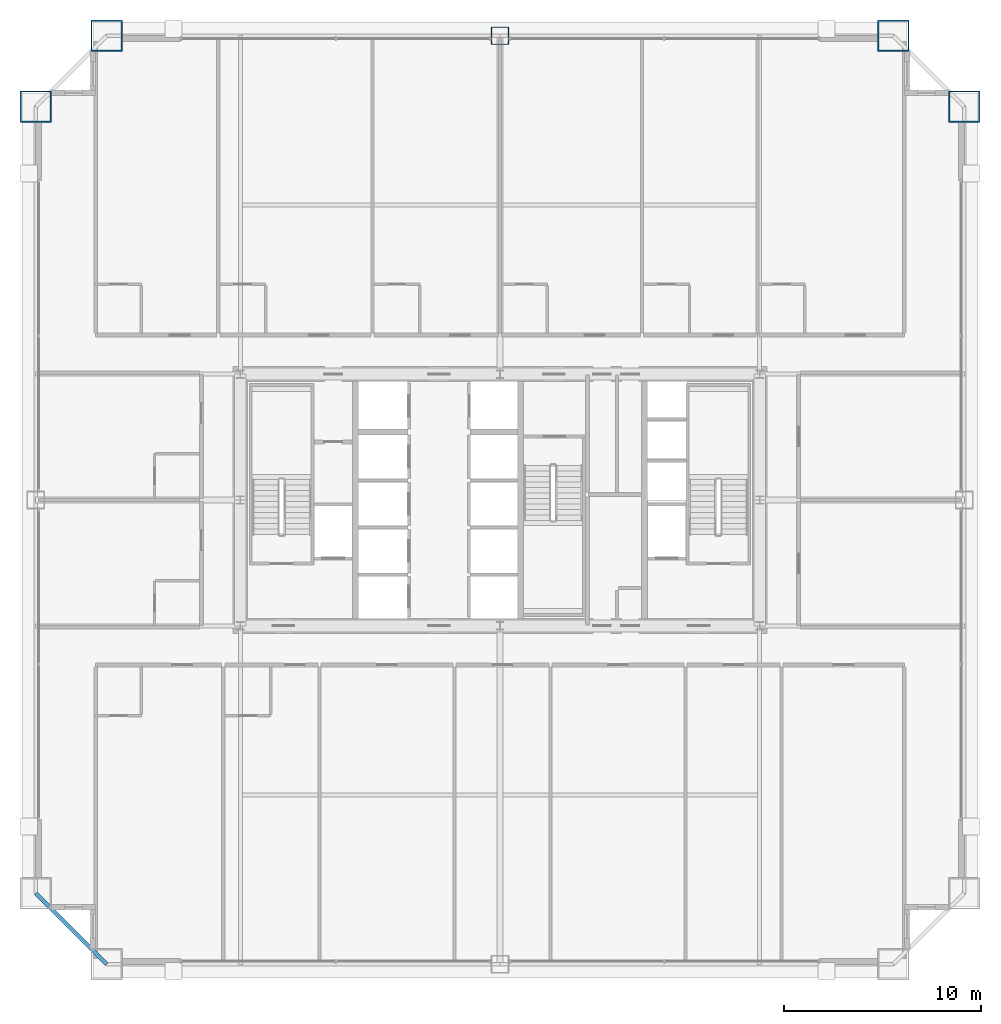
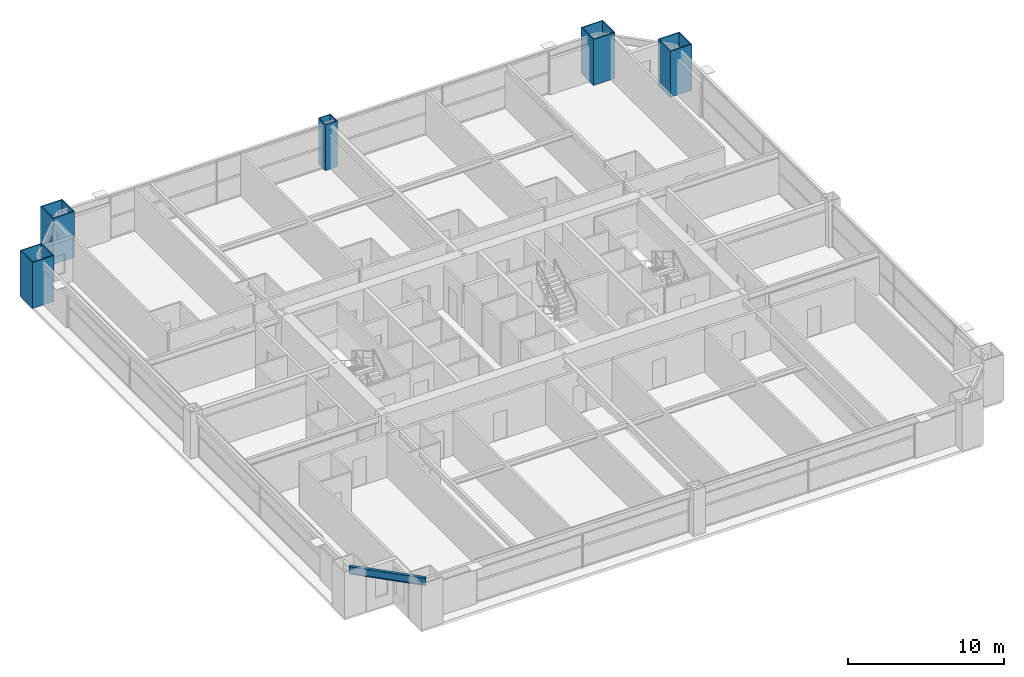
# One storey, part 3 of 39: 5 columns, 1 beam.
"""IFC4 building model written with IfcOpenShell, lengths in metres."""

from ifc_helpers import new_model, si_unit, direction, frame, origin, origin_2d, place, context, subcontext, project, spatial, hollow_rectangle, i_section, extrude, source, transform, mapped, material, material_profile, profile_set, type_object, element, save


model = new_model("IFC4")

# Units and contexts
model_context = context("Model", 3, precision=1e-05, world=origin(), true_north=direction((0.0, 1.0)))
body_context = subcontext(model_context, "Body", "Model", "MODEL_VIEW")
ifc_project = project(units=[si_unit("LENGTHUNIT", "METRE"), si_unit("AREAUNIT", "SQUARE_METRE"), si_unit("VOLUMEUNIT", "CUBIC_METRE"), si_unit("PLANEANGLEUNIT", "RADIAN"), si_unit("MASSUNIT", "GRAM", prefix="KILO"), si_unit("THERMODYNAMICTEMPERATUREUNIT", "KELVIN"), si_unit("POWERUNIT", "WATT")], contexts=[model_context])

# Site, building, storey
site_placement = place(None, origin())
site = spatial("IfcSite", under=ifc_project, at=site_placement, CompositionType="ELEMENT")
building_placement = place(site_placement, origin())
building = spatial("IfcBuilding", under=site, at=building_placement, Name="Yuzanri Waterfront Tower", CompositionType="ELEMENT")
storey_placement = place(building_placement, frame((0.0, 0.0, 156.0)))
storey = spatial("IfcBuildingStorey", under=building, at=storey_placement, Name="L41", CompositionType="ELEMENT", Elevation=156.0)

# Columns
ifc_material_1 = material(Name="Steel Q390GJC", Category="steel")
ifc_material_profile_1 = material_profile(ifc_material_1, hollow_rectangle(XDim=0.89990234375, YDim=0.89990234375, WallThickness=0.0419921875, at=origin_2d()), Name="RHS 900x900x42")
ifc_profile_set_1 = profile_set([ifc_material_profile_1], Name="Steel Q390GJC")
column_type_1 = type_object("IfcColumnType", Name="Frame Column Q390GJC RHS 900x900x42", PredefinedType="COLUMN", material=ifc_profile_set_1)
shared_shape_1 = source(origin(), body_context, "Body", "SweptSolid", [
    extrude(hollow_rectangle(XDim=0.89990234375, YDim=0.89990234375, WallThickness=0.0419921875, at=origin_2d()), origin(), (0.0, 0.0, 1.0), 3.60009765625),
])
column_placement = place(storey_placement, frame((37.0, 49.39990234375, 0.0), z_axis=(0.0, 0.0, 1.0), x_axis=(1.0, 0.0, 0.0)))
element("IfcColumn", 1, at=column_placement, inside=storey, type_object=column_type_1, Name="L41 Perimeter Frame Column N2", PredefinedType="COLUMN", context=body_context, shape_type="MappedRepresentation", body=[
    mapped(shared_shape_1, transform((0.0, 0.0, 0.0), scale=1.0)),
])
ifc_material_2 = material(Name="Steel Q420GJC", Category="steel")
ifc_material_profile_2 = material_profile(ifc_material_2, hollow_rectangle(XDim=1.60009765625, YDim=1.60009765625, WallThickness=0.070068359375, at=origin_2d()), Name="RHS 1600x1600x70")
ifc_profile_set_2 = profile_set([ifc_material_profile_2], Name="Steel Q420GJC")
column_type_2 = type_object("IfcColumnType", Name="Mega Column Q420GJC RHS 1600x1600x70", PredefinedType="COLUMN", material=ifc_profile_set_2)
shared_shape_2 = source(origin(), body_context, "Body", "SweptSolid", [
    extrude(hollow_rectangle(XDim=1.60009765625, YDim=1.60009765625, WallThickness=0.070068359375, at=origin_2d()), origin(), (0.0, 0.0, 1.0), 3.60009765625),
])
for number, where, z_axis, x_axis, name in (
    (2, (17.0, 49.39990234375, 0.0), (0.0, 0.0, 1.0), (1.0, 0.0, 0.0), "L41 Perimeter Mega Column N1"),
    (3, (57.0, 49.39990234375, 0.0), (0.0, 0.0, 1.0), (1.0, 0.0, 0.0), "L41 Perimeter Mega Column N3"),
    (4, (13.39990234375, 45.800048828125, 0.0), (0.0, 0.0, 1.0), (1.0, 0.0, 0.0), "L41 Perimeter Mega Column W3"),
    (5, (60.60009765625, 45.800048828125, 0.0), (0.0, 0.0, 1.0), (1.0, 0.0, 0.0), "L41 Perimeter Mega Column E3"),
):
    element("IfcColumn", number, at=place(storey_placement, frame(where, z_axis=z_axis, x_axis=x_axis)), inside=storey, type_object=column_type_2, Name=name, PredefinedType="COLUMN", context=body_context, shape_type="MappedRepresentation", body=[
        mapped(shared_shape_2, transform((0.0, 0.0, 0.0), scale=1.0)),
    ])

# Beam
ifc_material_3 = material(Name="Steel Q355B", Category="steel")
ifc_material_profile_3 = material_profile(ifc_material_3, i_section(OverallWidth=0.199951171875, OverallDepth=0.60009765625, WebThickness=0.010986328125, FlangeThickness=0.01708984375, at=origin_2d()), Name="HN 600x200x11x17")
ifc_profile_set_3 = profile_set([ifc_material_profile_3], Name="Steel Q355B")
beam_type = type_object("IfcBeamType", Name="Perimeter Spandrel Q355B HN 600x200", PredefinedType="SPANDREL", material=ifc_profile_set_3)
shared_shape_3 = source(origin(), body_context, "Body", "SweptSolid", [
    extrude(i_section(OverallWidth=0.199951171875, OverallDepth=0.60009765625, WebThickness=0.010986328125, FlangeThickness=0.01708984375, at=origin_2d()), origin(), (0.0, 0.0, 1.0), 5.09130859375),
])
beam_placement = place(storey_placement, frame((13.39990234375, 5.800048828125, 3.080078125), z_axis=(0.707106781187, -0.707106781187, 0.0), x_axis=(0.707106781187, 0.707106781187, 0.0)))
element("IfcBeam", 6, at=beam_placement, inside=storey, type_object=beam_type, Name="L41 Perimeter Spandrel W1-S1", PredefinedType="SPANDREL", context=body_context, shape_type="MappedRepresentation", body=[
    mapped(shared_shape_3, transform((0.0, 0.0, 0.0), scale=1.0)),
])

save(model, "model.ifc")
